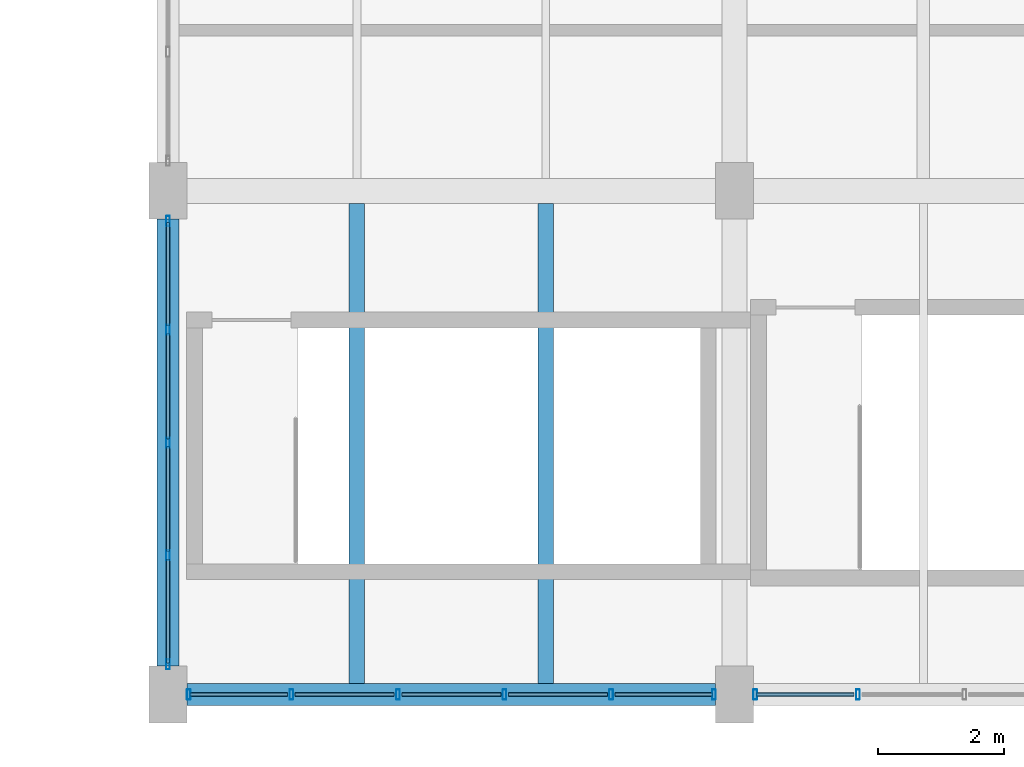
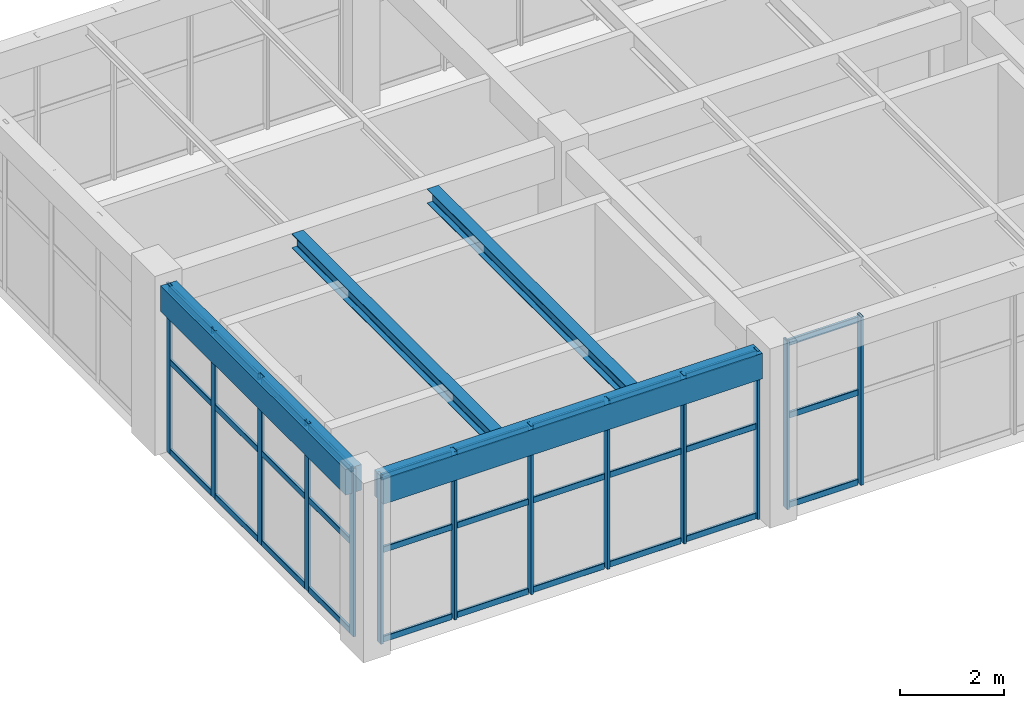
# One storey, part 9 of 148: 43 members, 4 beams, 3 elements without a shape of their own.
"""IFC4 building model written with IfcOpenShell, lengths in metres."""

import ifcopenshell
import ifcopenshell.guid

model = None  # the IFC model being written
_history = None  # IfcOwnerHistory: only IFC2X3 demands one
_inside = {}  # id of a spatial element -> (the spatial element, [elements in it])
_under = {}  # id of a project, library or spatial element -> (it, [spatial elements below it])
_declared = {}  # id of a project -> (the project, [libraries it declares])
_typed = {}  # id of a type object -> (the type object, [elements of that type])
_made_of = {}  # id of a material, layer set ... -> (it, [elements and type objects made of it])


def new_model(schema):
    """Start an empty IFC model of exactly this schema.

    Asked for "IFC4X3", IfcOpenShell would pick the latest addendum, in which some entities
    have other attributes; the version numbers below select the first issue.
    IFC2X3 requires an IfcOwnerHistory on every rooted entity: one is made here for all.
    """
    global model, _history
    if schema == "IFC4X3":
        model = ifcopenshell.file(schema_version=(4, 3, 0, 0))
    else:
        model = ifcopenshell.file(schema=schema)
    _inside.clear()
    _under.clear()
    _declared.clear()
    _typed.clear()
    _made_of.clear()
    _history = None
    if model.schema == "IFC2X3":
        org = make("IfcOrganization", Name="unknown")
        user = make(
            "IfcPersonAndOrganization",
            ThePerson=make("IfcPerson", FamilyName="unknown"),
            TheOrganization=org,
        )
        app = make(
            "IfcApplication",
            ApplicationDeveloper=org,
            Version="unknown",
            ApplicationFullName="unknown",
            ApplicationIdentifier="unknown",
        )
        _history = make(
            "IfcOwnerHistory",
            OwningUser=user,
            OwningApplication=app,
            ChangeAction="ADDED",
            CreationDate=0,
        )
    return model


def make(cls, **values):
    """One entity of the class cls with the attributes given. An attribute that is None is left unset."""
    return model.create_entity(
        cls, **{name: value for name, value in values.items() if value is not None}
    )


def rooted(cls, **values):
    """An entity with a GlobalId (a new one), such as an element, a storey or a relation."""
    return make(cls, GlobalId=ifcopenshell.guid.new(), OwnerHistory=_history, **values)


def si_unit(unit_type, name, prefix=None):
    """IfcSIUnit, for example si_unit("LENGTHUNIT", "METRE", prefix="MILLI")."""
    return make("IfcSIUnit", UnitType=unit_type, Prefix=prefix, Name=name)


def derived_unit(unit_type, elements):
    """IfcDerivedUnit: a product of units, each with its exponent."""
    return make(
        "IfcDerivedUnit",
        Elements=[
            make("IfcDerivedUnitElement", Unit=unit, Exponent=power)
            for unit, power in elements
        ],
        UnitType=unit_type,
    )


def assignment(units):
    """IfcUnitAssignment: the units of a project."""
    return None if units is None else make("IfcUnitAssignment", Units=units)


def point(xyz):
    """IfcCartesianPoint."""
    return None if xyz is None else make("IfcCartesianPoint", Coordinates=xyz)


def direction(xyz):
    """IfcDirection."""
    return None if xyz is None else make("IfcDirection", DirectionRatios=xyz)


def frame(location, z_axis=None, x_axis=None):
    """IfcAxis2Placement3D, a coordinate frame: its origin and axes. An axis left out is left unset."""
    return make(
        "IfcAxis2Placement3D",
        Location=point(location),
        Axis=direction(z_axis),
        RefDirection=direction(x_axis),
    )


def frame_2d(location, x_axis=None):
    """IfcAxis2Placement2D, a coordinate frame in the plane: its origin and x axis."""
    return make(
        "IfcAxis2Placement2D", Location=point(location), RefDirection=direction(x_axis)
    )


def origin():
    """The frame at (0, 0, 0) with its axes left unset."""
    return frame((0.0, 0.0, 0.0))


def origin_2d():
    """The frame at (0, 0) in the plane with its x axis left unset."""
    return frame_2d((0.0, 0.0))


def place(relative_to, where):
    """IfcLocalPlacement: puts the frame where relative to a parent placement (None: the world)."""
    return make(
        "IfcLocalPlacement", PlacementRelTo=relative_to, RelativePlacement=where
    )


def context(
    kind, dimensions, precision=None, world=None, true_north=None, identifier=None
):
    """IfcGeometricRepresentationContext, for example the 3D "Model" context."""
    return make(
        "IfcGeometricRepresentationContext",
        ContextIdentifier=identifier,
        ContextType=kind,
        CoordinateSpaceDimension=dimensions,
        Precision=precision,
        WorldCoordinateSystem=world,
        TrueNorth=true_north,
    )


def subcontext(parent, identifier, kind, view, scale=None):
    """IfcGeometricRepresentationSubContext, for example "Body" below "Model"."""
    return make(
        "IfcGeometricRepresentationSubContext",
        ContextIdentifier=identifier,
        ContextType=kind,
        ParentContext=parent,
        TargetScale=scale,
        TargetView=view,
    )


def project(units=None, contexts=None):
    """IfcProject with its units and contexts."""
    return rooted(
        "IfcProject",
        Name="project",
        RepresentationContexts=contexts,
        UnitsInContext=assignment(units),
    )


def spatial(cls, under=None, at=None, **own):
    """A site, building, storey or space (cls), placed at a placement, below another one or the project."""
    s = rooted(cls, ObjectPlacement=at, **own)
    if under is not None:
        _under.setdefault(under.id(), (under, []))[1].append(s)
    return s


def profile(cls, at=None, kind="AREA", **sizes):
    """A parametric profile (cls). Its sizes go by their IFC names, for example OverallWidth=200.0."""
    return make(cls, ProfileType=kind, Position=at, **sizes)


def rectangle(**sizes):
    """IfcRectangleProfileDef."""
    return profile("IfcRectangleProfileDef", **sizes)


def hollow_rectangle(**sizes):
    """IfcRectangleHollowProfileDef."""
    return profile("IfcRectangleHollowProfileDef", **sizes)


def i_section(**sizes):
    """IfcIShapeProfileDef."""
    return profile("IfcIShapeProfileDef", **sizes)


def extrude(swept, where, along, depth):
    """IfcExtrudedAreaSolid: the profile swept, set in the frame where, extruded along a direction by depth."""
    return make(
        "IfcExtrudedAreaSolid",
        SweptArea=swept,
        Position=where,
        ExtrudedDirection=direction(along),
        Depth=depth,
    )


def shape(context_of_items, identifier, shape_type, items):
    """IfcShapeRepresentation: the items that make up one representation, for example the "Body"."""
    return make(
        "IfcShapeRepresentation",
        ContextOfItems=context_of_items,
        RepresentationIdentifier=identifier,
        RepresentationType=shape_type,
        Items=items,
    )


def material(Name=None, Category=None):
    """IfcMaterial."""
    return make("IfcMaterial", Name=Name, Category=Category)


def material_profile(
    of_material, cross_section, Name=None, Category=None, Priority=None
):
    """IfcMaterialProfile: a cross section and its material."""
    return make(
        "IfcMaterialProfile",
        Name=Name,
        Material=of_material,
        Profile=cross_section,
        Priority=Priority,
        Category=Category,
    )


def profile_set(profiles, Name=None, composite=None):
    """IfcMaterialProfileSet."""
    return make(
        "IfcMaterialProfileSet",
        Name=Name,
        MaterialProfiles=profiles,
        CompositeProfile=composite,
    )


def made_of(thing, what):
    """Note that an element or type object is made of a material, layer set ...; save() writes the relation."""
    if what is not None:
        _made_of.setdefault(what.id(), (what, []))[1].append(thing)
    return thing


def type_object(cls, material=None, **own):
    """A type object (cls), such as IfcWallType, which elements share."""
    return made_of(rooted(cls, **own), material)


def element(
    cls,
    number,
    at=None,
    inside=None,
    cuts=None,
    type_object=None,
    material=None,
    context=None,
    identifier="Body",
    shape_type=None,
    held_by="IfcProductDefinitionShape",
    body=None,
    shapes=None,
    **own,
):
    """One element of the class cls, such as IfcWall. Its Tag is "e" and its number.

    at: its placement. inside: the storey or other place that contains it. cuts: it is an
    opening in that element (IfcRelVoidsElement). A single representation is given by context,
    identifier, shape_type and body (its items); several are given by shapes. held_by: the class
    of the entity that holds the representations. save() writes the other relations.
    """
    e = rooted(cls, Tag="e%d" % number, ObjectPlacement=at, **own)
    if body is not None:
        shapes = [shape(context, identifier, shape_type, body)]
    if shapes is not None:
        e.Representation = make(held_by, Representations=shapes)
    if inside is not None:
        _inside.setdefault(inside.id(), (inside, []))[1].append(e)
    if cuts is not None:
        rooted(
            "IfcRelVoidsElement", RelatingBuildingElement=cuts, RelatedOpeningElement=e
        )
    if type_object is not None:
        _typed.setdefault(type_object.id(), (type_object, []))[1].append(e)
    return made_of(e, material)


def aggregate(whole, parts):
    """IfcRelAggregates: a whole, such as a stair, and the parts it consists of."""
    return rooted("IfcRelAggregates", RelatingObject=whole, RelatedObjects=parts)


def save(model, path):
    """Write the relations noted so far, then the file.

    IfcRelAggregates (storeys below a building ...), IfcRelContainedInSpatialStructure (elements
    in a storey), IfcRelDefinesByType, IfcRelAssociatesMaterial and IfcRelDeclares: one each for
    every whole, place, type object, material and project.
    """
    for whole, parts in _under.values():
        aggregate(whole, parts)
    for where, things in _inside.values():
        rooted(
            "IfcRelContainedInSpatialStructure",
            RelatedElements=things,
            RelatingStructure=where,
        )
    for kind, things in _typed.values():
        rooted("IfcRelDefinesByType", RelatedObjects=things, RelatingType=kind)
    for what, things in _made_of.values():
        rooted("IfcRelAssociatesMaterial", RelatedObjects=things, RelatingMaterial=what)
    for by, libraries in _declared.values():
        rooted("IfcRelDeclares", RelatingContext=by, RelatedDefinitions=libraries)
    model.write(path)


model = new_model("IFC4")

# Units and contexts
model_context = context("Model", 3, precision=1e-05, world=origin(), true_north=direction((0.0, 1.0)))
body_context = subcontext(model_context, "Body", "Model", "MODEL_VIEW")
ifc_project = project(units=[si_unit("LENGTHUNIT", "METRE"), si_unit("AREAUNIT", "SQUARE_METRE"), si_unit("VOLUMEUNIT", "CUBIC_METRE"), si_unit("PLANEANGLEUNIT", "RADIAN"), si_unit("MASSUNIT", "GRAM", prefix="KILO"), derived_unit("THERMALTRANSMITTANCEUNIT", [(si_unit("MASSUNIT", "GRAM", prefix="KILO"), 1), (si_unit("TIMEUNIT", "SECOND"), -3), (si_unit("THERMODYNAMICTEMPERATUREUNIT", "KELVIN"), -1)])], contexts=[model_context])

# Site, building, storey
site_placement = place(None, origin())
site = spatial("IfcSite", under=ifc_project, at=site_placement, CompositionType="ELEMENT")
building_placement = place(site_placement, origin())
building = spatial("IfcBuilding", under=site, at=building_placement, Name="Zhenchuan Archway Interchange", CompositionType="ELEMENT")
storey_placement = place(building_placement, frame((0.0, 0.0, 10.199951171875)))
storey = spatial("IfcBuildingStorey", under=building, at=storey_placement, Name="L02", CompositionType="ELEMENT", Elevation=10.199951171875)

# Curtain wall, members
ifc_material_1 = material(Name="Anodised Aluminium", Category="aluminium")
curtain_wall_type_1 = type_object("IfcCurtainWallType", Name="CW_UNIT_4", PredefinedType="NOTDEFINED", material=ifc_material_1)
curtain_wall_1_placement = place(storey_placement, origin())
curtain_wall_1 = element("IfcCurtainWall", 1, at=curtain_wall_1_placement, inside=storey, type_object=curtain_wall_type_1, Name="Unitised curtain wall CW:L02:107", PredefinedType="NOTDEFINED")
ifc_material_profile_1 = material_profile(ifc_material_1, hollow_rectangle(XDim=0.06005859375, YDim=0.159912109375, WallThickness=0.00390625, InnerFilletRadius=0.00390625, OuterFilletRadius=0.008056640625, at=origin_2d()), Name="ALU 160x60x4")
ifc_profile_set_1 = profile_set([ifc_material_profile_1], Name="Anodised Aluminium")
member_type_1 = type_object("IfcMemberType", Name="CW_MUL_150", PredefinedType="MULLION", material=ifc_profile_set_1)
member_1_placement = place(storey_placement, frame((10.960693359375, 0.0, 0.0), z_axis=(0.0, 0.0, 1.0), x_axis=(1.0, 0.0, 0.0)))
member_1 = element("IfcMember", 2, at=member_1_placement, type_object=member_type_1, Name="CW:L02:107 mullion 4", PredefinedType="MULLION", context=body_context, shape_type="SweptSolid", body=[
    extrude(hollow_rectangle(XDim=0.06005859375, YDim=0.159912109375, WallThickness=0.00390625, InnerFilletRadius=0.00390625, OuterFilletRadius=0.008056640625, at=origin_2d()), origin(), (0.0, 0.0, 1.0), 3.93994140625),
])
member_2_placement = place(storey_placement, frame((9.327880859375, 0.0, 0.0), z_axis=(0.0, 0.0, 1.0), x_axis=(1.0, 0.0, 0.0)))
member_2 = element("IfcMember", 3, at=member_2_placement, type_object=member_type_1, Name="CW:L02:107 mullion 5", PredefinedType="MULLION", context=body_context, shape_type="SweptSolid", body=[
    extrude(hollow_rectangle(XDim=0.06005859375, YDim=0.159912109375, WallThickness=0.00390625, InnerFilletRadius=0.00390625, OuterFilletRadius=0.008056640625, at=origin_2d()), origin(), (0.0, 0.0, 1.0), 3.93994140625),
])

curtain_wall_type_2 = type_object("IfcCurtainWallType", Name="CW_UNIT_1", PredefinedType="NOTDEFINED", material=ifc_material_1)
curtain_wall_2_placement = place(storey_placement, origin())
curtain_wall_2 = element("IfcCurtainWall", 4, at=curtain_wall_2_placement, inside=storey, type_object=curtain_wall_type_2, Name="Unitised curtain wall CW:L02:108", PredefinedType="NOTDEFINED")
member_3_placement = place(storey_placement, frame((8.672119140625, 0.0, 0.0), z_axis=(0.0, 0.0, 1.0), x_axis=(1.0, 0.0, 0.0)))
member_3 = element("IfcMember", 5, at=member_3_placement, type_object=member_type_1, Name="CW:L02:108 mullion 0", PredefinedType="MULLION", context=body_context, shape_type="SweptSolid", body=[
    extrude(hollow_rectangle(XDim=0.06005859375, YDim=0.159912109375, WallThickness=0.00390625, InnerFilletRadius=0.00390625, OuterFilletRadius=0.008056640625, at=origin_2d()), origin(), (0.0, 0.0, 1.0), 3.93994140625),
])
member_4_placement = place(storey_placement, frame((7.039306640625, 0.0, 0.0), z_axis=(0.0, 0.0, 1.0), x_axis=(1.0, 0.0, 0.0)))
member_4 = element("IfcMember", 6, at=member_4_placement, type_object=member_type_1, Name="CW:L02:108 mullion 1", PredefinedType="MULLION", context=body_context, shape_type="SweptSolid", body=[
    extrude(hollow_rectangle(XDim=0.06005859375, YDim=0.159912109375, WallThickness=0.00390625, InnerFilletRadius=0.00390625, OuterFilletRadius=0.008056640625, at=origin_2d()), origin(), (0.0, 0.0, 1.0), 3.93994140625),
])
member_5_placement = place(storey_placement, frame((5.346435546875, 0.0, 0.0), z_axis=(0.0, 0.0, 1.0), x_axis=(1.0, 0.0, 0.0)))
member_5 = element("IfcMember", 7, at=member_5_placement, type_object=member_type_1, Name="CW:L02:108 mullion 2", PredefinedType="MULLION", context=body_context, shape_type="SweptSolid", body=[
    extrude(hollow_rectangle(XDim=0.06005859375, YDim=0.159912109375, WallThickness=0.00390625, InnerFilletRadius=0.00390625, OuterFilletRadius=0.008056640625, at=origin_2d()), origin(), (0.0, 0.0, 1.0), 3.93994140625),
])
member_6_placement = place(storey_placement, frame((3.653564453125, 0.0, 0.0), z_axis=(0.0, 0.0, 1.0), x_axis=(1.0, 0.0, 0.0)))
member_6 = element("IfcMember", 8, at=member_6_placement, type_object=member_type_1, Name="CW:L02:108 mullion 3", PredefinedType="MULLION", context=body_context, shape_type="SweptSolid", body=[
    extrude(hollow_rectangle(XDim=0.06005859375, YDim=0.159912109375, WallThickness=0.00390625, InnerFilletRadius=0.00390625, OuterFilletRadius=0.008056640625, at=origin_2d()), origin(), (0.0, 0.0, 1.0), 3.93994140625),
])
member_7_placement = place(storey_placement, frame((1.960693359375, 0.0, 0.0), z_axis=(0.0, 0.0, 1.0), x_axis=(1.0, 0.0, 0.0)))
member_7 = element("IfcMember", 9, at=member_7_placement, type_object=member_type_1, Name="CW:L02:108 mullion 4", PredefinedType="MULLION", context=body_context, shape_type="SweptSolid", body=[
    extrude(hollow_rectangle(XDim=0.06005859375, YDim=0.159912109375, WallThickness=0.00390625, InnerFilletRadius=0.00390625, OuterFilletRadius=0.008056640625, at=origin_2d()), origin(), (0.0, 0.0, 1.0), 3.93994140625),
])
member_8_placement = place(storey_placement, frame((0.327880859375, 0.0, 0.0), z_axis=(0.0, 0.0, 1.0), x_axis=(1.0, 0.0, 0.0)))
member_8 = element("IfcMember", 10, at=member_8_placement, type_object=member_type_1, Name="CW:L02:108 mullion 5", PredefinedType="MULLION", context=body_context, shape_type="SweptSolid", body=[
    extrude(hollow_rectangle(XDim=0.06005859375, YDim=0.159912109375, WallThickness=0.00390625, InnerFilletRadius=0.00390625, OuterFilletRadius=0.008056640625, at=origin_2d()), origin(), (0.0, 0.0, 1.0), 3.93994140625),
])

curtain_wall_type_3 = type_object("IfcCurtainWallType", Name="CW_UNIT_2", PredefinedType="NOTDEFINED", material=ifc_material_1)
curtain_wall_3_placement = place(storey_placement, origin())
curtain_wall_3 = element("IfcCurtainWall", 11, at=curtain_wall_3_placement, inside=storey, type_object=curtain_wall_type_3, Name="Unitised curtain wall CW:L02:109", PredefinedType="NOTDEFINED")
member_9_placement = place(storey_placement, frame((0.0, 0.47802734375, 0.0), z_axis=(0.0, 0.0, 1.0), x_axis=(1.0, 0.0, 0.0)))
member_9 = element("IfcMember", 12, at=member_9_placement, type_object=member_type_1, Name="CW:L02:109 mullion 0", PredefinedType="MULLION", context=body_context, shape_type="SweptSolid", body=[
    extrude(hollow_rectangle(XDim=0.06005859375, YDim=0.159912109375, WallThickness=0.00390625, InnerFilletRadius=0.00390625, OuterFilletRadius=0.008056640625, at=origin_2d()), origin(), (0.0, 0.0, 1.0), 3.93994140625),
])
member_10_placement = place(storey_placement, frame((0.0, 2.208984375, 0.0), z_axis=(0.0, 0.0, 1.0), x_axis=(1.0, 0.0, 0.0)))
member_10 = element("IfcMember", 13, at=member_10_placement, type_object=member_type_1, Name="CW:L02:109 mullion 1", PredefinedType="MULLION", context=body_context, shape_type="SweptSolid", body=[
    extrude(hollow_rectangle(XDim=0.06005859375, YDim=0.159912109375, WallThickness=0.00390625, InnerFilletRadius=0.00390625, OuterFilletRadius=0.008056640625, at=origin_2d()), origin(), (0.0, 0.0, 1.0), 3.93994140625),
])
member_11_placement = place(storey_placement, frame((0.0, 4.0, 0.0), z_axis=(0.0, 0.0, 1.0), x_axis=(1.0, 0.0, 0.0)))
member_11 = element("IfcMember", 14, at=member_11_placement, type_object=member_type_1, Name="CW:L02:109 mullion 2", PredefinedType="MULLION", context=body_context, shape_type="SweptSolid", body=[
    extrude(hollow_rectangle(XDim=0.06005859375, YDim=0.159912109375, WallThickness=0.00390625, InnerFilletRadius=0.00390625, OuterFilletRadius=0.008056640625, at=origin_2d()), origin(), (0.0, 0.0, 1.0), 3.93994140625),
])
member_12_placement = place(storey_placement, frame((0.0, 5.791015625, 0.0), z_axis=(0.0, 0.0, 1.0), x_axis=(1.0, 0.0, 0.0)))
member_12 = element("IfcMember", 15, at=member_12_placement, type_object=member_type_1, Name="CW:L02:109 mullion 3", PredefinedType="MULLION", context=body_context, shape_type="SweptSolid", body=[
    extrude(hollow_rectangle(XDim=0.06005859375, YDim=0.159912109375, WallThickness=0.00390625, InnerFilletRadius=0.00390625, OuterFilletRadius=0.008056640625, at=origin_2d()), origin(), (0.0, 0.0, 1.0), 3.93994140625),
])
member_13_placement = place(storey_placement, frame((0.0, 7.52197265625, 0.0), z_axis=(0.0, 0.0, 1.0), x_axis=(1.0, 0.0, 0.0)))
member_13 = element("IfcMember", 16, at=member_13_placement, type_object=member_type_1, Name="CW:L02:109 mullion 4", PredefinedType="MULLION", context=body_context, shape_type="SweptSolid", body=[
    extrude(hollow_rectangle(XDim=0.06005859375, YDim=0.159912109375, WallThickness=0.00390625, InnerFilletRadius=0.00390625, OuterFilletRadius=0.008056640625, at=origin_2d()), origin(), (0.0, 0.0, 1.0), 3.93994140625),
])

# Member
ifc_material_profile_2 = material_profile(ifc_material_1, hollow_rectangle(XDim=0.06005859375, YDim=0.139892578125, WallThickness=0.00341796875, InnerFilletRadius=0.00341796875, OuterFilletRadius=0.007080078125, at=origin_2d()), Name="ALU 140x60x3.5")
ifc_profile_set_2 = profile_set([ifc_material_profile_2], Name="Anodised Aluminium")
member_type_2 = type_object("IfcMemberType", Name="CW_TRN_140", PredefinedType="USERDEFINED", material=ifc_profile_set_2)
member_14_placement = place(storey_placement, frame((10.90087890625, 0.0, 0.06005859375), z_axis=(-1.0, 0.0, 0.0), x_axis=(0.0, -1.0, 0.0)))
member_14 = element("IfcMember", 17, at=member_14_placement, type_object=member_type_2, Name="CW:L02:107 transom 4-1", ObjectType="TRANSOM", PredefinedType="USERDEFINED", context=body_context, shape_type="SweptSolid", body=[
    extrude(hollow_rectangle(XDim=0.06005859375, YDim=0.139892578125, WallThickness=0.00341796875, InnerFilletRadius=0.00341796875, OuterFilletRadius=0.007080078125, at=origin_2d()), origin(), (0.0, 0.0, 1.0), 1.552978515625),
])

member_15_placement = place(storey_placement, frame((10.90087890625, 0.0, 2.156005859375), z_axis=(-1.0, 0.0, 0.0), x_axis=(0.0, -1.0, 0.0)))
member_15 = element("IfcMember", 18, at=member_15_placement, type_object=member_type_2, Name="CW:L02:107 transom 4-2", ObjectType="TRANSOM", PredefinedType="USERDEFINED", context=body_context, shape_type="SweptSolid", body=[
    extrude(hollow_rectangle(XDim=0.06005859375, YDim=0.139892578125, WallThickness=0.00341796875, InnerFilletRadius=0.00341796875, OuterFilletRadius=0.007080078125, at=origin_2d()), origin(), (0.0, 0.0, 1.0), 1.552978515625),
])

member_16_placement = place(storey_placement, frame((10.90087890625, 0.0, 3.860107421875), z_axis=(-1.0, 0.0, 0.0), x_axis=(0.0, -1.0, 0.0)))
member_16 = element("IfcMember", 19, at=member_16_placement, type_object=member_type_2, Name="CW:L02:107 transom 4-3", ObjectType="TRANSOM", PredefinedType="USERDEFINED", context=body_context, shape_type="SweptSolid", body=[
    extrude(hollow_rectangle(XDim=0.06005859375, YDim=0.139892578125, WallThickness=0.00341796875, InnerFilletRadius=0.00341796875, OuterFilletRadius=0.007080078125, at=origin_2d()), origin(), (0.0, 0.0, 1.0), 1.552978515625),
])

aggregate(curtain_wall_1, [member_1, member_2, member_14, member_15, member_16])

member_17_placement = place(storey_placement, frame((8.652099609375, 0.0, 0.06005859375), z_axis=(-1.0, 0.0, 0.0), x_axis=(0.0, -1.0, 0.0)))
member_17 = element("IfcMember", 20, at=member_17_placement, type_object=member_type_2, Name="CW:L02:108 transom 0-1", ObjectType="TRANSOM", PredefinedType="USERDEFINED", context=body_context, shape_type="SweptSolid", body=[
    extrude(hollow_rectangle(XDim=0.06005859375, YDim=0.139892578125, WallThickness=0.00341796875, InnerFilletRadius=0.00341796875, OuterFilletRadius=0.007080078125, at=origin_2d()), origin(), (0.0, 0.0, 1.0), 1.552978515625),
])

member_18_placement = place(storey_placement, frame((8.652099609375, 0.0, 2.156005859375), z_axis=(-1.0, 0.0, 0.0), x_axis=(0.0, -1.0, 0.0)))
member_18 = element("IfcMember", 21, at=member_18_placement, type_object=member_type_2, Name="CW:L02:108 transom 0-2", ObjectType="TRANSOM", PredefinedType="USERDEFINED", context=body_context, shape_type="SweptSolid", body=[
    extrude(hollow_rectangle(XDim=0.06005859375, YDim=0.139892578125, WallThickness=0.00341796875, InnerFilletRadius=0.00341796875, OuterFilletRadius=0.007080078125, at=origin_2d()), origin(), (0.0, 0.0, 1.0), 1.552978515625),
])

member_19_placement = place(storey_placement, frame((8.652099609375, 0.0, 3.860107421875), z_axis=(-1.0, 0.0, 0.0), x_axis=(0.0, -1.0, 0.0)))
member_19 = element("IfcMember", 22, at=member_19_placement, type_object=member_type_2, Name="CW:L02:108 transom 0-3", ObjectType="TRANSOM", PredefinedType="USERDEFINED", context=body_context, shape_type="SweptSolid", body=[
    extrude(hollow_rectangle(XDim=0.06005859375, YDim=0.139892578125, WallThickness=0.00341796875, InnerFilletRadius=0.00341796875, OuterFilletRadius=0.007080078125, at=origin_2d()), origin(), (0.0, 0.0, 1.0), 1.552978515625),
])

member_20_placement = place(storey_placement, frame((6.979248046875, 0.0, 0.06005859375), z_axis=(-1.0, 0.0, 0.0), x_axis=(0.0, -1.0, 0.0)))
member_20 = element("IfcMember", 23, at=member_20_placement, type_object=member_type_2, Name="CW:L02:108 transom 1-1", ObjectType="TRANSOM", PredefinedType="USERDEFINED", context=body_context, shape_type="SweptSolid", body=[
    extrude(hollow_rectangle(XDim=0.06005859375, YDim=0.139892578125, WallThickness=0.00341796875, InnerFilletRadius=0.00341796875, OuterFilletRadius=0.007080078125, at=origin_2d()), origin(), (0.0, 0.0, 1.0), 1.57275390625),
])

member_21_placement = place(storey_placement, frame((6.979248046875, 0.0, 2.156005859375), z_axis=(-1.0, 0.0, 0.0), x_axis=(0.0, -1.0, 0.0)))
member_21 = element("IfcMember", 24, at=member_21_placement, type_object=member_type_2, Name="CW:L02:108 transom 1-2", ObjectType="TRANSOM", PredefinedType="USERDEFINED", context=body_context, shape_type="SweptSolid", body=[
    extrude(hollow_rectangle(XDim=0.06005859375, YDim=0.139892578125, WallThickness=0.00341796875, InnerFilletRadius=0.00341796875, OuterFilletRadius=0.007080078125, at=origin_2d()), origin(), (0.0, 0.0, 1.0), 1.57275390625),
])

member_22_placement = place(storey_placement, frame((6.979248046875, 0.0, 3.860107421875), z_axis=(-1.0, 0.0, 0.0), x_axis=(0.0, -1.0, 0.0)))
member_22 = element("IfcMember", 25, at=member_22_placement, type_object=member_type_2, Name="CW:L02:108 transom 1-3", ObjectType="TRANSOM", PredefinedType="USERDEFINED", context=body_context, shape_type="SweptSolid", body=[
    extrude(hollow_rectangle(XDim=0.06005859375, YDim=0.139892578125, WallThickness=0.00341796875, InnerFilletRadius=0.00341796875, OuterFilletRadius=0.007080078125, at=origin_2d()), origin(), (0.0, 0.0, 1.0), 1.57275390625),
])

member_23_placement = place(storey_placement, frame((5.286376953125, 0.0, 0.06005859375), z_axis=(-1.0, 0.0, 0.0), x_axis=(0.0, -1.0, 0.0)))
member_23 = element("IfcMember", 26, at=member_23_placement, type_object=member_type_2, Name="CW:L02:108 transom 2-1", ObjectType="TRANSOM", PredefinedType="USERDEFINED", context=body_context, shape_type="SweptSolid", body=[
    extrude(hollow_rectangle(XDim=0.06005859375, YDim=0.139892578125, WallThickness=0.00341796875, InnerFilletRadius=0.00341796875, OuterFilletRadius=0.007080078125, at=origin_2d()), origin(), (0.0, 0.0, 1.0), 1.57275390625),
])

member_24_placement = place(storey_placement, frame((5.286376953125, 0.0, 2.156005859375), z_axis=(-1.0, 0.0, 0.0), x_axis=(0.0, -1.0, 0.0)))
member_24 = element("IfcMember", 27, at=member_24_placement, type_object=member_type_2, Name="CW:L02:108 transom 2-2", ObjectType="TRANSOM", PredefinedType="USERDEFINED", context=body_context, shape_type="SweptSolid", body=[
    extrude(hollow_rectangle(XDim=0.06005859375, YDim=0.139892578125, WallThickness=0.00341796875, InnerFilletRadius=0.00341796875, OuterFilletRadius=0.007080078125, at=origin_2d()), origin(), (0.0, 0.0, 1.0), 1.57275390625),
])

member_25_placement = place(storey_placement, frame((5.286376953125, 0.0, 3.860107421875), z_axis=(-1.0, 0.0, 0.0), x_axis=(0.0, -1.0, 0.0)))
member_25 = element("IfcMember", 28, at=member_25_placement, type_object=member_type_2, Name="CW:L02:108 transom 2-3", ObjectType="TRANSOM", PredefinedType="USERDEFINED", context=body_context, shape_type="SweptSolid", body=[
    extrude(hollow_rectangle(XDim=0.06005859375, YDim=0.139892578125, WallThickness=0.00341796875, InnerFilletRadius=0.00341796875, OuterFilletRadius=0.007080078125, at=origin_2d()), origin(), (0.0, 0.0, 1.0), 1.57275390625),
])

member_26_placement = place(storey_placement, frame((3.593505859375, 0.0, 0.06005859375), z_axis=(-1.0, 0.0, 0.0), x_axis=(0.0, -1.0, 0.0)))
member_26 = element("IfcMember", 29, at=member_26_placement, type_object=member_type_2, Name="CW:L02:108 transom 3-1", ObjectType="TRANSOM", PredefinedType="USERDEFINED", context=body_context, shape_type="SweptSolid", body=[
    extrude(hollow_rectangle(XDim=0.06005859375, YDim=0.139892578125, WallThickness=0.00341796875, InnerFilletRadius=0.00341796875, OuterFilletRadius=0.007080078125, at=origin_2d()), origin(), (0.0, 0.0, 1.0), 1.57275390625),
])

member_27_placement = place(storey_placement, frame((3.593505859375, 0.0, 2.156005859375), z_axis=(-1.0, 0.0, 0.0), x_axis=(0.0, -1.0, 0.0)))
member_27 = element("IfcMember", 30, at=member_27_placement, type_object=member_type_2, Name="CW:L02:108 transom 3-2", ObjectType="TRANSOM", PredefinedType="USERDEFINED", context=body_context, shape_type="SweptSolid", body=[
    extrude(hollow_rectangle(XDim=0.06005859375, YDim=0.139892578125, WallThickness=0.00341796875, InnerFilletRadius=0.00341796875, OuterFilletRadius=0.007080078125, at=origin_2d()), origin(), (0.0, 0.0, 1.0), 1.57275390625),
])

member_28_placement = place(storey_placement, frame((3.593505859375, 0.0, 3.860107421875), z_axis=(-1.0, 0.0, 0.0), x_axis=(0.0, -1.0, 0.0)))
member_28 = element("IfcMember", 31, at=member_28_placement, type_object=member_type_2, Name="CW:L02:108 transom 3-3", ObjectType="TRANSOM", PredefinedType="USERDEFINED", context=body_context, shape_type="SweptSolid", body=[
    extrude(hollow_rectangle(XDim=0.06005859375, YDim=0.139892578125, WallThickness=0.00341796875, InnerFilletRadius=0.00341796875, OuterFilletRadius=0.007080078125, at=origin_2d()), origin(), (0.0, 0.0, 1.0), 1.57275390625),
])

member_29_placement = place(storey_placement, frame((1.90087890625, 0.0, 0.06005859375), z_axis=(-1.0, 0.0, 0.0), x_axis=(0.0, -1.0, 0.0)))
member_29 = element("IfcMember", 32, at=member_29_placement, type_object=member_type_2, Name="CW:L02:108 transom 4-1", ObjectType="TRANSOM", PredefinedType="USERDEFINED", context=body_context, shape_type="SweptSolid", body=[
    extrude(hollow_rectangle(XDim=0.06005859375, YDim=0.139892578125, WallThickness=0.00341796875, InnerFilletRadius=0.00341796875, OuterFilletRadius=0.007080078125, at=origin_2d()), origin(), (0.0, 0.0, 1.0), 1.552978515625),
])

member_30_placement = place(storey_placement, frame((1.90087890625, 0.0, 2.156005859375), z_axis=(-1.0, 0.0, 0.0), x_axis=(0.0, -1.0, 0.0)))
member_30 = element("IfcMember", 33, at=member_30_placement, type_object=member_type_2, Name="CW:L02:108 transom 4-2", ObjectType="TRANSOM", PredefinedType="USERDEFINED", context=body_context, shape_type="SweptSolid", body=[
    extrude(hollow_rectangle(XDim=0.06005859375, YDim=0.139892578125, WallThickness=0.00341796875, InnerFilletRadius=0.00341796875, OuterFilletRadius=0.007080078125, at=origin_2d()), origin(), (0.0, 0.0, 1.0), 1.552978515625),
])

member_31_placement = place(storey_placement, frame((1.90087890625, 0.0, 3.860107421875), z_axis=(-1.0, 0.0, 0.0), x_axis=(0.0, -1.0, 0.0)))
member_31 = element("IfcMember", 34, at=member_31_placement, type_object=member_type_2, Name="CW:L02:108 transom 4-3", ObjectType="TRANSOM", PredefinedType="USERDEFINED", context=body_context, shape_type="SweptSolid", body=[
    extrude(hollow_rectangle(XDim=0.06005859375, YDim=0.139892578125, WallThickness=0.00341796875, InnerFilletRadius=0.00341796875, OuterFilletRadius=0.007080078125, at=origin_2d()), origin(), (0.0, 0.0, 1.0), 1.552978515625),
])

aggregate(curtain_wall_2, [member_3, member_4, member_5, member_6, member_7, member_8, member_17, member_18, member_19, member_20, member_21, member_22, member_23, member_24, member_25, member_26, member_27, member_28, member_29, member_30, member_31])

member_32_placement = place(storey_placement, frame((0.0, 0.498046875, 0.06005859375), z_axis=(0.0, 1.0, 0.0), x_axis=(-1.0, 0.0, 0.0)))
member_32 = element("IfcMember", 35, at=member_32_placement, type_object=member_type_2, Name="CW:L02:109 transom 0-1", ObjectType="TRANSOM", PredefinedType="USERDEFINED", context=body_context, shape_type="SweptSolid", body=[
    extrude(hollow_rectangle(XDim=0.06005859375, YDim=0.139892578125, WallThickness=0.00341796875, InnerFilletRadius=0.00341796875, OuterFilletRadius=0.007080078125, at=origin_2d()), origin(), (0.0, 0.0, 1.0), 1.65087890625),
])

member_33_placement = place(storey_placement, frame((0.0, 0.498046875, 2.156005859375), z_axis=(0.0, 1.0, 0.0), x_axis=(-1.0, 0.0, 0.0)))
member_33 = element("IfcMember", 36, at=member_33_placement, type_object=member_type_2, Name="CW:L02:109 transom 0-2", ObjectType="TRANSOM", PredefinedType="USERDEFINED", context=body_context, shape_type="SweptSolid", body=[
    extrude(hollow_rectangle(XDim=0.06005859375, YDim=0.139892578125, WallThickness=0.00341796875, InnerFilletRadius=0.00341796875, OuterFilletRadius=0.007080078125, at=origin_2d()), origin(), (0.0, 0.0, 1.0), 1.65087890625),
])

member_34_placement = place(storey_placement, frame((0.0, 0.498046875, 3.860107421875), z_axis=(0.0, 1.0, 0.0), x_axis=(-1.0, 0.0, 0.0)))
member_34 = element("IfcMember", 37, at=member_34_placement, type_object=member_type_2, Name="CW:L02:109 transom 0-3", ObjectType="TRANSOM", PredefinedType="USERDEFINED", context=body_context, shape_type="SweptSolid", body=[
    extrude(hollow_rectangle(XDim=0.06005859375, YDim=0.139892578125, WallThickness=0.00341796875, InnerFilletRadius=0.00341796875, OuterFilletRadius=0.007080078125, at=origin_2d()), origin(), (0.0, 0.0, 1.0), 1.65087890625),
])

member_35_placement = place(storey_placement, frame((0.0, 2.26904296875, 0.06005859375), z_axis=(0.0, 1.0, 0.0), x_axis=(-1.0, 0.0, 0.0)))
member_35 = element("IfcMember", 38, at=member_35_placement, type_object=member_type_2, Name="CW:L02:109 transom 1-1", ObjectType="TRANSOM", PredefinedType="USERDEFINED", context=body_context, shape_type="SweptSolid", body=[
    extrude(hollow_rectangle(XDim=0.06005859375, YDim=0.139892578125, WallThickness=0.00341796875, InnerFilletRadius=0.00341796875, OuterFilletRadius=0.007080078125, at=origin_2d()), origin(), (0.0, 0.0, 1.0), 1.6708984375),
])

member_36_placement = place(storey_placement, frame((0.0, 2.26904296875, 2.156005859375), z_axis=(0.0, 1.0, 0.0), x_axis=(-1.0, 0.0, 0.0)))
member_36 = element("IfcMember", 39, at=member_36_placement, type_object=member_type_2, Name="CW:L02:109 transom 1-2", ObjectType="TRANSOM", PredefinedType="USERDEFINED", context=body_context, shape_type="SweptSolid", body=[
    extrude(hollow_rectangle(XDim=0.06005859375, YDim=0.139892578125, WallThickness=0.00341796875, InnerFilletRadius=0.00341796875, OuterFilletRadius=0.007080078125, at=origin_2d()), origin(), (0.0, 0.0, 1.0), 1.6708984375),
])

member_37_placement = place(storey_placement, frame((0.0, 2.26904296875, 3.860107421875), z_axis=(0.0, 1.0, 0.0), x_axis=(-1.0, 0.0, 0.0)))
member_37 = element("IfcMember", 40, at=member_37_placement, type_object=member_type_2, Name="CW:L02:109 transom 1-3", ObjectType="TRANSOM", PredefinedType="USERDEFINED", context=body_context, shape_type="SweptSolid", body=[
    extrude(hollow_rectangle(XDim=0.06005859375, YDim=0.139892578125, WallThickness=0.00341796875, InnerFilletRadius=0.00341796875, OuterFilletRadius=0.007080078125, at=origin_2d()), origin(), (0.0, 0.0, 1.0), 1.6708984375),
])

member_38_placement = place(storey_placement, frame((0.0, 4.06005859375, 0.06005859375), z_axis=(0.0, 1.0, 0.0), x_axis=(-1.0, 0.0, 0.0)))
member_38 = element("IfcMember", 41, at=member_38_placement, type_object=member_type_2, Name="CW:L02:109 transom 2-1", ObjectType="TRANSOM", PredefinedType="USERDEFINED", context=body_context, shape_type="SweptSolid", body=[
    extrude(hollow_rectangle(XDim=0.06005859375, YDim=0.139892578125, WallThickness=0.00341796875, InnerFilletRadius=0.00341796875, OuterFilletRadius=0.007080078125, at=origin_2d()), origin(), (0.0, 0.0, 1.0), 1.6708984375),
])

member_39_placement = place(storey_placement, frame((0.0, 4.06005859375, 2.156005859375), z_axis=(0.0, 1.0, 0.0), x_axis=(-1.0, 0.0, 0.0)))
member_39 = element("IfcMember", 42, at=member_39_placement, type_object=member_type_2, Name="CW:L02:109 transom 2-2", ObjectType="TRANSOM", PredefinedType="USERDEFINED", context=body_context, shape_type="SweptSolid", body=[
    extrude(hollow_rectangle(XDim=0.06005859375, YDim=0.139892578125, WallThickness=0.00341796875, InnerFilletRadius=0.00341796875, OuterFilletRadius=0.007080078125, at=origin_2d()), origin(), (0.0, 0.0, 1.0), 1.6708984375),
])

member_40_placement = place(storey_placement, frame((0.0, 4.06005859375, 3.860107421875), z_axis=(0.0, 1.0, 0.0), x_axis=(-1.0, 0.0, 0.0)))
member_40 = element("IfcMember", 43, at=member_40_placement, type_object=member_type_2, Name="CW:L02:109 transom 2-3", ObjectType="TRANSOM", PredefinedType="USERDEFINED", context=body_context, shape_type="SweptSolid", body=[
    extrude(hollow_rectangle(XDim=0.06005859375, YDim=0.139892578125, WallThickness=0.00341796875, InnerFilletRadius=0.00341796875, OuterFilletRadius=0.007080078125, at=origin_2d()), origin(), (0.0, 0.0, 1.0), 1.6708984375),
])

member_41_placement = place(storey_placement, frame((0.0, 5.85107421875, 0.06005859375), z_axis=(0.0, 1.0, 0.0), x_axis=(-1.0, 0.0, 0.0)))
member_41 = element("IfcMember", 44, at=member_41_placement, type_object=member_type_2, Name="CW:L02:109 transom 3-1", ObjectType="TRANSOM", PredefinedType="USERDEFINED", context=body_context, shape_type="SweptSolid", body=[
    extrude(hollow_rectangle(XDim=0.06005859375, YDim=0.139892578125, WallThickness=0.00341796875, InnerFilletRadius=0.00341796875, OuterFilletRadius=0.007080078125, at=origin_2d()), origin(), (0.0, 0.0, 1.0), 1.65087890625),
])

member_42_placement = place(storey_placement, frame((0.0, 5.85107421875, 2.156005859375), z_axis=(0.0, 1.0, 0.0), x_axis=(-1.0, 0.0, 0.0)))
member_42 = element("IfcMember", 45, at=member_42_placement, type_object=member_type_2, Name="CW:L02:109 transom 3-2", ObjectType="TRANSOM", PredefinedType="USERDEFINED", context=body_context, shape_type="SweptSolid", body=[
    extrude(hollow_rectangle(XDim=0.06005859375, YDim=0.139892578125, WallThickness=0.00341796875, InnerFilletRadius=0.00341796875, OuterFilletRadius=0.007080078125, at=origin_2d()), origin(), (0.0, 0.0, 1.0), 1.65087890625),
])

member_43_placement = place(storey_placement, frame((0.0, 5.85107421875, 3.860107421875), z_axis=(0.0, 1.0, 0.0), x_axis=(-1.0, 0.0, 0.0)))
member_43 = element("IfcMember", 46, at=member_43_placement, type_object=member_type_2, Name="CW:L02:109 transom 3-3", ObjectType="TRANSOM", PredefinedType="USERDEFINED", context=body_context, shape_type="SweptSolid", body=[
    extrude(hollow_rectangle(XDim=0.06005859375, YDim=0.139892578125, WallThickness=0.00341796875, InnerFilletRadius=0.00341796875, OuterFilletRadius=0.007080078125, at=origin_2d()), origin(), (0.0, 0.0, 1.0), 1.65087890625),
])

aggregate(curtain_wall_3, [member_9, member_10, member_11, member_12, member_13, member_32, member_33, member_34, member_35, member_36, member_37, member_38, member_39, member_40, member_41, member_42, member_43])

# Beams
ifc_material_2 = material(Name="Steel Q355", Category="steel")
ifc_material_profile_3 = material_profile(ifc_material_2, i_section(OverallWidth=0.25, OverallDepth=0.340087890625, WebThickness=0.009033203125, FlangeThickness=0.013916015625, FilletRadius=0.01806640625, at=origin_2d()), Name="HM 340x250")
ifc_profile_set_3 = profile_set([ifc_material_profile_3], Name="Steel Q355")
beam_type_1 = type_object("IfcBeamType", Name="JST_STL_HM340", PredefinedType="JOIST", material=ifc_profile_set_3)
for number, where, z_axis, x_axis, name in (
    (47, (3.0, 0.175048828125, 3.77001953125), (0.0, 1.0, 0.0), (-1.0, 0.0, 0.0), "Secondary joist 1-2/A-B #1 (L02)"),
    (48, (6.0, 0.175048828125, 3.77001953125), (0.0, 1.0, 0.0), (-1.0, 0.0, 0.0), "Secondary joist 1-2/A-B #2 (L02)"),
):
    element("IfcBeam", number, at=place(storey_placement, frame(where, z_axis=z_axis, x_axis=x_axis)), inside=storey, type_object=beam_type_1, Name=name, PredefinedType="JOIST", context=body_context, shape_type="SweptSolid", body=[
        extrude(i_section(OverallWidth=0.25, OverallDepth=0.340087890625, WebThickness=0.009033203125, FlangeThickness=0.013916015625, FilletRadius=0.01806640625, at=origin_2d()), origin(), (0.0, 0.0, 1.0), 7.625),
    ])
ifc_material_3 = material(Name="Concrete C40", Category="concrete")
ifc_material_profile_4 = material_profile(ifc_material_3, rectangle(XDim=0.35009765625, YDim=0.60009765625, at=origin_2d()), Name="RC 350x600")
ifc_profile_set_4 = profile_set([ifc_material_profile_4], Name="Concrete C40")
beam_type_2 = type_object("IfcBeamType", Name="SP_RC_350x600", PredefinedType="SPANDREL", material=ifc_profile_set_4)
beam_1_placement = place(storey_placement, frame((0.300048828125, 0.0, 3.64013671875), z_axis=(1.0, 0.0, 0.0), x_axis=(0.0, 1.0, 0.0)))
element("IfcBeam", 49, at=beam_1_placement, inside=storey, type_object=beam_type_2, Name="Beam A:1-2 (L02)", PredefinedType="SPANDREL", context=body_context, shape_type="SweptSolid", body=[
    extrude(rectangle(XDim=0.35009765625, YDim=0.60009765625, at=origin_2d()), origin(), (0.0, 0.0, 1.0), 8.39990234375),
])
beam_2_placement = place(storey_placement, frame((0.0, 0.449951171875, 3.64013671875), z_axis=(0.0, 1.0, 0.0), x_axis=(-1.0, 0.0, 0.0)))
element("IfcBeam", 50, at=beam_2_placement, inside=storey, type_object=beam_type_2, Name="Beam 1:A-B (L02)", PredefinedType="SPANDREL", context=body_context, shape_type="SweptSolid", body=[
    extrude(rectangle(XDim=0.35009765625, YDim=0.60009765625, at=origin_2d()), origin(), (0.0, 0.0, 1.0), 7.10009765625),
])

save(model, "model.ifc")
